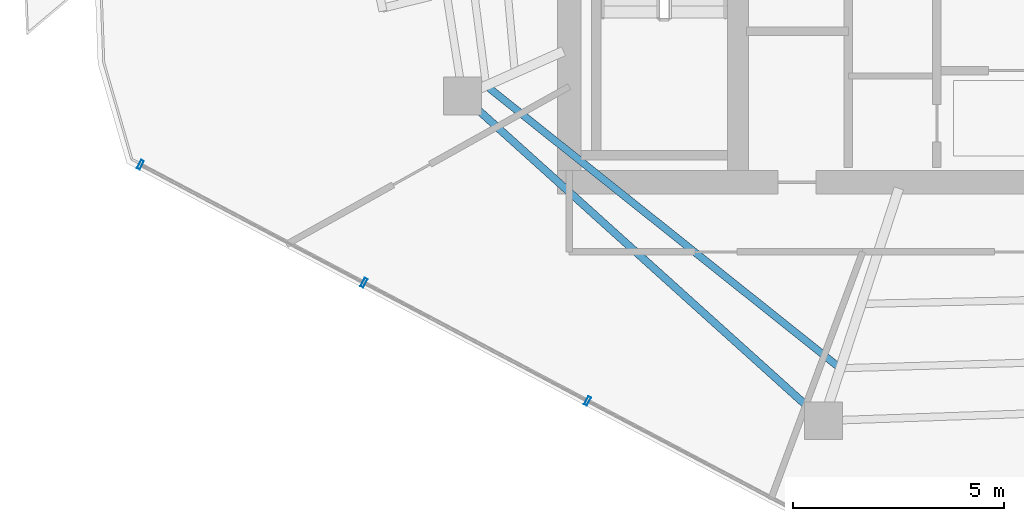
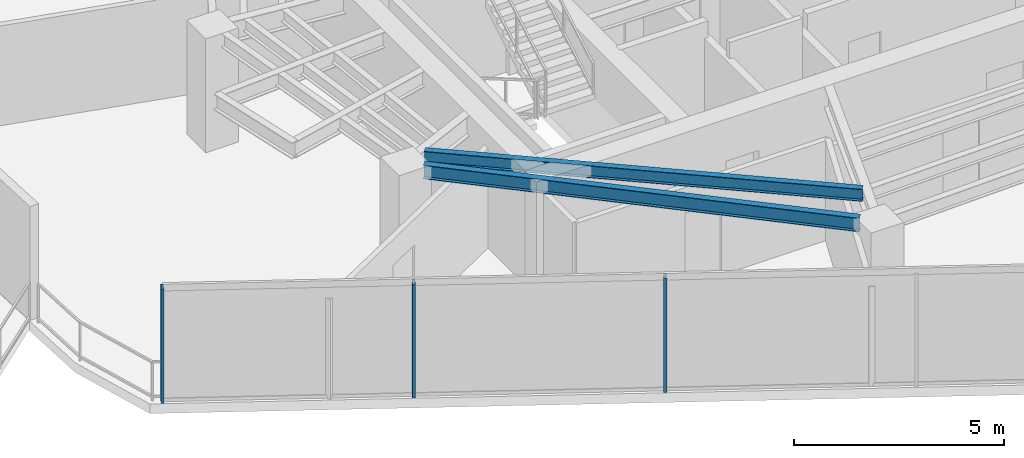
# One storey, part 2 of 19: 3 members, 2 beams, 1 element without a shape of its own.
"""IFC4 building model written with IfcOpenShell, lengths in metres."""

from ifc_helpers import new_model, si_unit, direction, frame, origin, origin_2d, place, context, subcontext, project, spatial, hollow_rectangle, i_section, extrude, material, layer, layer_set, material_profile, profile_set, type_object, element, aggregate, save


model = new_model("IFC4")

# Units and contexts
model_context = context("Model", 3, precision=1e-05, world=origin(), true_north=direction((0.0, 1.0)))
body_context = subcontext(model_context, "Body", "Model", "MODEL_VIEW")
ifc_project = project(units=[si_unit("LENGTHUNIT", "METRE"), si_unit("AREAUNIT", "SQUARE_METRE"), si_unit("VOLUMEUNIT", "CUBIC_METRE"), si_unit("PLANEANGLEUNIT", "RADIAN"), si_unit("MASSUNIT", "GRAM", prefix="KILO")], contexts=[model_context])

# Site, building, storey
site_placement = place(None, origin())
site = spatial("IfcSite", under=ifc_project, at=site_placement, CompositionType="ELEMENT")
building_placement = place(site_placement, origin())
building = spatial("IfcBuilding", under=site, at=building_placement, Name="Qarnah Convention Tower", CompositionType="ELEMENT")
storey_placement = place(building_placement, frame((0.0, 0.0, 187.800048828125)))
storey = spatial("IfcBuildingStorey", under=building, at=storey_placement, Name="L50", CompositionType="ELEMENT", Elevation=187.800048828125)

# Beams
ifc_material_1 = material(Name="Structural steel S355JR", Category="steel")
ifc_material_profile_1 = material_profile(ifc_material_1, i_section(OverallWidth=0.172119140625, OverallDepth=0.35595703125, WebThickness=0.007080078125, FlangeThickness=0.011962890625, at=origin_2d()), Name="W360X51")
ifc_profile_set_1 = profile_set([ifc_material_profile_1], Name="Structural steel S355JR")
beam_type_1 = type_object("IfcBeamType", Name="BM-JST-W360", PredefinedType="JOIST", material=ifc_profile_set_1)
beam_1_placement = place(storey_placement, frame((24.89892578125, 20.8359375, 3.141845703125), z_axis=(0.781677166358, -0.62368325903, 0.0), x_axis=(0.62368325903, 0.781677166358, 0.0)))
element("IfcBeam", 1, at=beam_1_placement, inside=storey, type_object=beam_type_1, Name="L50 joist BM-L50-SJST-06", PredefinedType="JOIST", context=body_context, shape_type="SweptSolid", body=[
    extrude(i_section(OverallWidth=0.172119140625, OverallDepth=0.35595703125, WebThickness=0.007080078125, FlangeThickness=0.011962890625, at=origin_2d()), origin(), (0.0, 0.0, 1.0), 10.569580078125),
])
ifc_material_profile_2 = material_profile(ifc_material_1, i_section(OverallWidth=0.179931640625, OverallDepth=0.39990234375, WebThickness=0.009033203125, FlangeThickness=0.013916015625, at=origin_2d()), Name="IPE400")
ifc_profile_set_2 = profile_set([ifc_material_profile_2], Name="Structural steel S355JR")
beam_type_2 = type_object("IfcBeamType", Name="BM-SPN-IPE400", PredefinedType="SPANDREL", material=ifc_profile_set_2)
beam_2_placement = place(storey_placement, frame((24.60009765625, 20.35107421875, 3.119873046875), z_axis=(0.743102275255, -0.669177860147, 0.0), x_axis=(0.669177860147, 0.743102275255, 0.0)))
element("IfcBeam", 2, at=beam_2_placement, inside=storey, type_object=beam_type_2, Name="L50 spandrel BM-L50-SPN-06", PredefinedType="SPANDREL", context=body_context, shape_type="SweptSolid", body=[
    extrude(i_section(OverallWidth=0.179931640625, OverallDepth=0.39990234375, WebThickness=0.009033203125, FlangeThickness=0.013916015625, at=origin_2d()), origin(), (0.0, 0.0, 1.0), 10.630859375),
])

# Curtain wall, members
ifc_material_2 = material(Name="Tempered Low-E dark glass", Category="glass")
ifc_layer = layer(ifc_material_2, 0.174072265625)
ifc_layer_set = layer_set([ifc_layer], Name="Tempered Low-E dark glass")
curtain_wall_type = type_object("IfcCurtainWallType", Name="CWS-04", PredefinedType="NOTDEFINED", material=ifc_layer_set)
curtain_wall_placement = place(storey_placement, origin())
curtain_wall = element("IfcCurtainWall", 3, at=curtain_wall_placement, inside=storey, type_object=curtain_wall_type, Name="L50 unitised curtain wall CW-L50-F2", PredefinedType="NOTDEFINED")
ifc_material_3 = material(Name="Black anodised aluminium", Category="aluminium")
ifc_material_profile_3 = material_profile(ifc_material_3, hollow_rectangle(XDim=0.074951171875, YDim=0.219970703125, WallThickness=0.0048828125, at=origin_2d()), Name="MUL-75X220")
ifc_profile_set_3 = profile_set([ifc_material_profile_3], Name="Black anodised aluminium")
member_type = type_object("IfcMemberType", Name="MUL-T4", PredefinedType="MULLION", material=ifc_profile_set_3)
member_1_placement = place(storey_placement, frame((27.234375, 13.41455078125, 0.0), z_axis=(0.0, 0.0, 1.0), x_axis=(-0.884263531063, 0.46698823072, 0.0)))
member_1 = element("IfcMember", 4, at=member_1_placement, type_object=member_type, Name="CW-L50-F2 mullion 4", PredefinedType="MULLION", context=body_context, shape_type="SweptSolid", body=[
    extrude(hollow_rectangle(XDim=0.074951171875, YDim=0.219970703125, WallThickness=0.0048828125, at=origin_2d()), origin(), (0.0, 0.0, 1.0), 3.320068359375),
])
member_2_placement = place(storey_placement, frame((21.93017578125, 16.2158203125, 0.0), z_axis=(0.0, 0.0, 1.0), x_axis=(-0.884263531063, 0.46698823072, 0.0)))
member_2 = element("IfcMember", 5, at=member_2_placement, type_object=member_type, Name="CW-L50-F2 mullion 5", PredefinedType="MULLION", context=body_context, shape_type="SweptSolid", body=[
    extrude(hollow_rectangle(XDim=0.074951171875, YDim=0.219970703125, WallThickness=0.0048828125, at=origin_2d()), origin(), (0.0, 0.0, 1.0), 3.320068359375),
])
member_3_placement = place(storey_placement, frame((16.6259765625, 19.01708984375, 0.0), z_axis=(0.0, 0.0, 1.0), x_axis=(-0.884263531063, 0.46698823072, 0.0)))
member_3 = element("IfcMember", 6, at=member_3_placement, type_object=member_type, Name="CW-L50-F2 mullion 6", PredefinedType="MULLION", context=body_context, shape_type="SweptSolid", body=[
    extrude(hollow_rectangle(XDim=0.074951171875, YDim=0.219970703125, WallThickness=0.0048828125, at=origin_2d()), origin(), (0.0, 0.0, 1.0), 3.320068359375),
])
aggregate(curtain_wall, [member_1, member_2, member_3])

save(model, "model.ifc")
